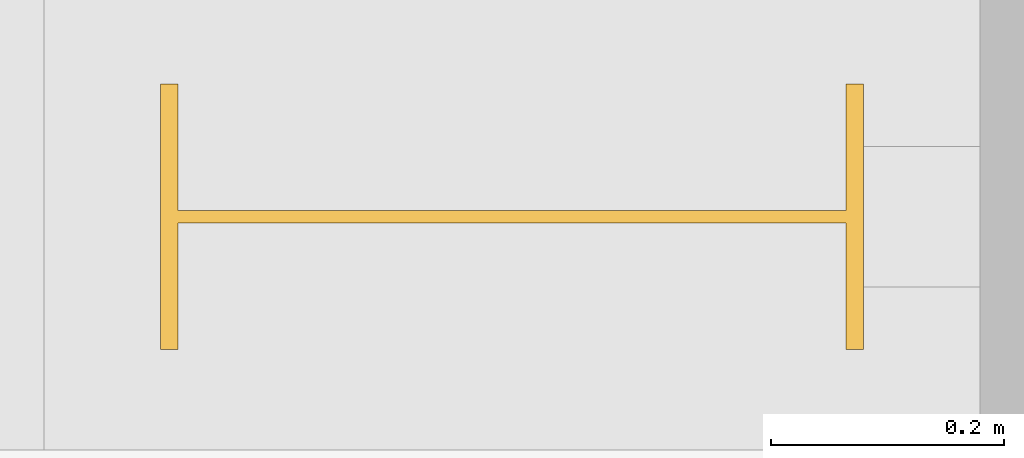
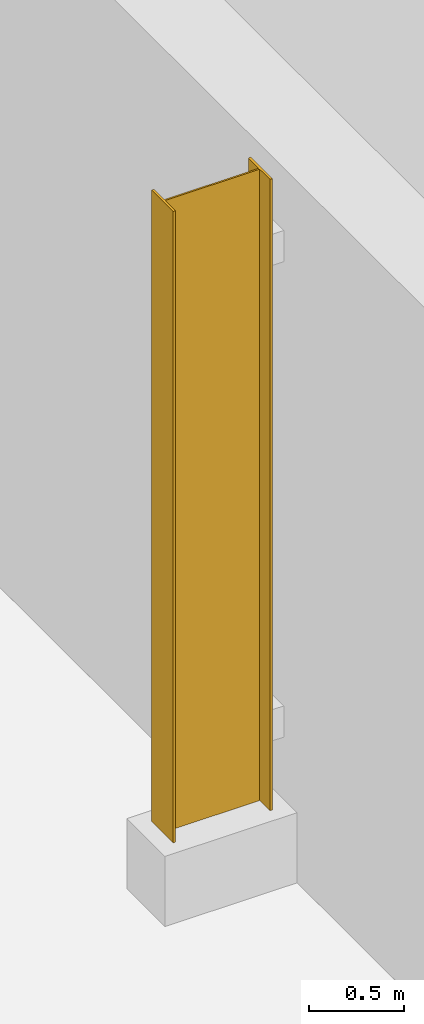
# One storey, part 158 of 168: 1 shading device.
"""IFC4 building model written with IfcOpenShell, lengths in metres."""

from ifc_helpers import new_model, si_unit, direction, frame, origin, origin_2d, place, context, subcontext, project, spatial, i_section, extrude, material, material_profile, profile_set, type_object, element, save


model = new_model("IFC4")

# Units and contexts
model_context = context("Model", 3, precision=1e-05, world=origin(), true_north=direction((0.0, 1.0)))
body_context = subcontext(model_context, "Body", "Model", "MODEL_VIEW")
ifc_project = project(units=[si_unit("LENGTHUNIT", "METRE"), si_unit("AREAUNIT", "SQUARE_METRE"), si_unit("VOLUMEUNIT", "CUBIC_METRE"), si_unit("PLANEANGLEUNIT", "RADIAN"), si_unit("MASSUNIT", "GRAM", prefix="KILO")], contexts=[model_context])

# Site, building, storey
site_placement = place(None, origin())
site = spatial("IfcSite", under=ifc_project, at=site_placement, CompositionType="ELEMENT")
building_placement = place(site_placement, origin())
building = spatial("IfcBuilding", under=site, at=building_placement, Name="Silverbay Arena", CompositionType="ELEMENT")
storey_placement = place(building_placement, frame((0.0, 0.0, 7.0)))
storey = spatial("IfcBuildingStorey", under=building, at=storey_placement, Name="L01", CompositionType="ELEMENT", Elevation=7.0)

# Shading device
ifc_material = material(Name="Steel S355", Category="steel")
ifc_material_profile = material_profile(ifc_material, i_section(OverallWidth=0.2275390625, OverallDepth=0.6025390625, WebThickness=0.010498046875, FlangeThickness=0.014892578125, at=origin_2d()), Name="UB 610x229x101")
ifc_profile_set = profile_set([ifc_material_profile], Name="Steel S355")
shading_device_type = type_object("IfcShadingDeviceType", Name="Steel fin UB 610x229x101", PredefinedType="USERDEFINED", material=ifc_profile_set)
shading_device_placement = place(storey_placement, frame((26.0986328125, 135.0, 0.449951171875), z_axis=(0.0, 0.0, 1.0), x_axis=(0.0, 1.0, 0.0)))
element("IfcShadingDevice", 1, at=shading_device_placement, inside=storey, type_object=shading_device_type, Name="Steel fin W L01 26", ObjectType="FIN", PredefinedType="USERDEFINED", context=body_context, shape_type="SweptSolid", body=[
    extrude(i_section(OverallWidth=0.2275390625, OverallDepth=0.6025390625, WebThickness=0.010498046875, FlangeThickness=0.014892578125, at=origin_2d()), origin(), (0.0, 0.0, 1.0), 4.050048828125),
])

save(model, "model.ifc")
